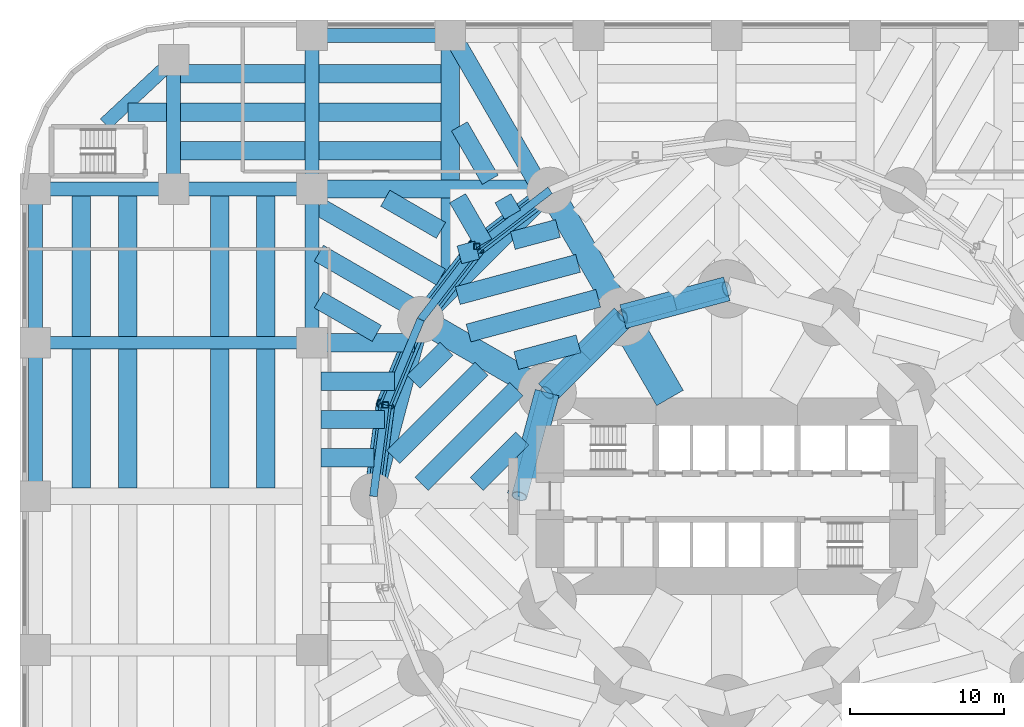
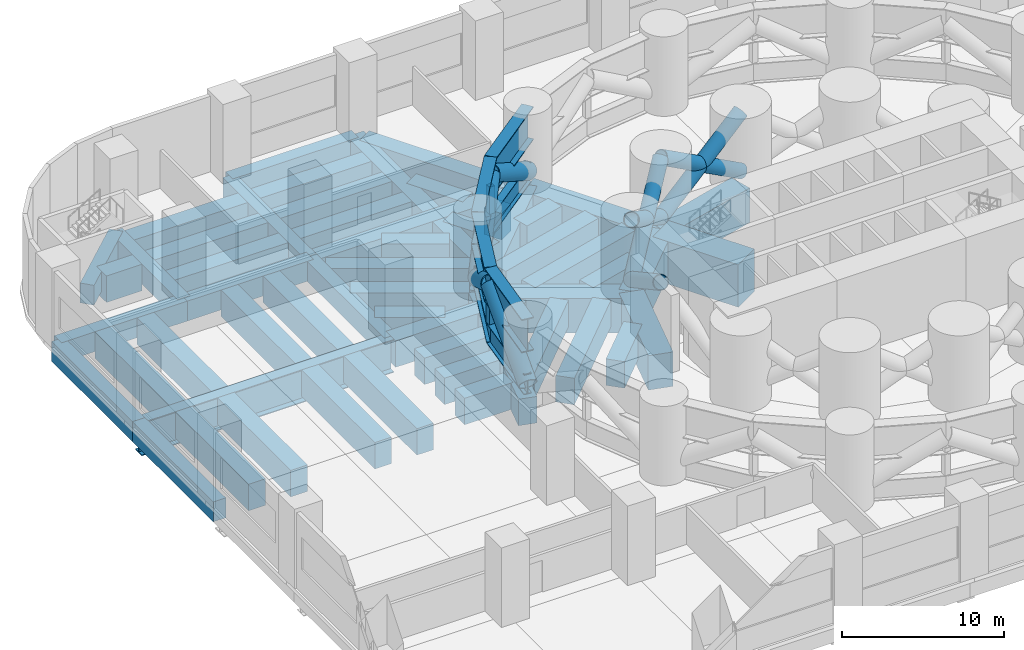
# One storey, part 4 of 14: 64 beams, 11 members.
"""IFC4 building model written with IfcOpenShell, lengths in metres."""

from ifc_helpers import new_model, si_unit, direction, frame, origin, origin_2d, place, context, subcontext, project, spatial, rectangle, hollow_rectangle, hollow_circle, i_section, extrude, material, material_profile, profile_set, type_object, element, save


model = new_model("IFC4")

# Units and contexts
model_context = context("Model", 3, precision=1e-05, world=origin(), true_north=direction((0.0, 1.0)))
body_context = subcontext(model_context, "Body", "Model", "MODEL_VIEW")
ifc_project = project(units=[si_unit("LENGTHUNIT", "METRE"), si_unit("AREAUNIT", "SQUARE_METRE"), si_unit("VOLUMEUNIT", "CUBIC_METRE"), si_unit("PLANEANGLEUNIT", "RADIAN"), si_unit("MASSUNIT", "GRAM", prefix="KILO")], contexts=[model_context])

# Site, building, storey
site_placement = place(None, origin())
site = spatial("IfcSite", under=ifc_project, at=site_placement, CompositionType="ELEMENT")
building_placement = place(site_placement, origin())
building = spatial("IfcBuilding", under=site, at=building_placement, Name="Qaws Media Tower", CompositionType="ELEMENT")
storey_placement = place(building_placement, frame((0.0, 0.0, 20.0)))
storey = spatial("IfcBuildingStorey", under=building, at=storey_placement, Name="L03", CompositionType="ELEMENT", Elevation=20.0)

# Members
ifc_material_1 = material(Name="Steel S355", Category="steel")
ifc_material_profile_1 = material_profile(ifc_material_1, hollow_circle(Radius=0.508056640625, WallThickness=0.050048828125, at=origin_2d()), Name="CHS 1016x50")
ifc_profile_set_1 = profile_set([ifc_material_profile_1], Name="Steel S355")
member_type_1 = type_object("IfcMemberType", Name="Belt truss diagonal CHS 1016x50", PredefinedType="BRACE", material=ifc_profile_set_1)
for number, where, z_axis, x_axis, name in (
    (1, (60.0, 63.5, 0.60009765625), (-0.812113202797, -0.217597461166, 0.541408801865), (0.258810593767, -0.965928090778, 0.0), "BT1 belt diagonal L03 I04 rising"),
    (2, (53.25, 61.69140625, 0.60009765625), (0.812113202797, 0.217597461166, 0.541408801865), (-0.258810593767, 0.965928090778, 0.0), "BT1 belt diagonal L03 I05 falling"),
    (3, (53.25, 61.69140625, 0.60009765625), (-0.594509373034, -0.594509373034, 0.541403002162), (0.707106781187, -0.707106781187, 0.0), "BT1 belt diagonal L03 I05 rising"),
    (4, (48.30859375, 56.75, 0.60009765625), (0.594509373034, 0.594509373034, 0.541403002162), (-0.707106781187, 0.707106781187, 0.0), "BT1 belt diagonal L03 I06 falling"),
    (5, (48.30859375, 56.75, 0.60009765625), (-0.217597461166, -0.812113202797, 0.541408801865), (0.965928090778, -0.258810593767, 0.0), "BT1 belt diagonal L03 I06 rising"),
):
    element("IfcMember", number, at=place(storey_placement, frame(where, z_axis=z_axis, x_axis=x_axis)), inside=storey, type_object=member_type_1, Name=name, PredefinedType="BRACE", context=body_context, shape_type="SweptSolid", body=[
        extrude(hollow_circle(Radius=0.508056640625, WallThickness=0.050048828125, at=origin_2d()), origin(), (0.0, 0.0, 1.0), 8.311767578125),
    ])

# Beams
ifc_material_2 = material(Name="Concrete C60/75", Category="concrete")
ifc_material_profile_2 = material_profile(ifc_material_2, rectangle(XDim=2.0, YDim=3.199951171875, at=origin_2d()), Name="RC 2000x3200")
ifc_profile_set_2 = profile_set([ifc_material_profile_2], Name="Concrete C60/75")
beam_type_1 = type_object("IfcBeamType", Name="Podium core beam RC 2000x3200", PredefinedType="BEAM", material=ifc_profile_set_2)
beam_1_placement = place(storey_placement, frame((56.304931640625, 56.39990234375, -1.89990234375), z_axis=(-0.49998532359, 0.866033877048, 0.0), x_axis=(-0.866033877048, -0.49998532359, 0.0)))
element("IfcBeam", 6, at=beam_1_placement, inside=storey, type_object=beam_type_1, Name="PB14 beam CORE-I05", PredefinedType="BEAM", context=body_context, shape_type="SweptSolid", body=[
    extrude(rectangle(XDim=2.0, YDim=3.199951171875, at=origin_2d()), origin(), (0.0, 0.0, 1.0), 6.110107421875),
])
ifc_material_3 = material(Name="Concrete C60/75", Category="concrete")
ifc_material_profile_3 = material_profile(ifc_material_3, rectangle(XDim=1.199951171875, YDim=2.0, at=origin_2d()), Name="RC 1200x2000")
ifc_profile_set_3 = profile_set([ifc_material_profile_3], Name="Concrete C60/75")
beam_type_2 = type_object("IfcBeamType", Name="Podium long trimmer beam RC 1200x2000", PredefinedType="BEAM", material=ifc_profile_set_3)
beam_2_placement = place(storey_placement, frame((33.0, 70.0, -1.300048828125), z_axis=(1.0, 0.0, 0.0), x_axis=(0.0, 1.0, 0.0)))
element("IfcBeam", 7, at=beam_2_placement, inside=storey, type_object=beam_type_2, Name="PB11 beam 3/F to the tower ring", PredefinedType="BEAM", context=body_context, shape_type="SweptSolid", body=[
    extrude(rectangle(XDim=1.199951171875, YDim=2.0, at=origin_2d()), origin(), (0.0, 0.0, 1.0), 15.803955078125),
])
beam_3_placement = place(storey_placement, frame((42.0, 80.0, -1.300048828125), z_axis=(0.0, -1.0, 0.0), x_axis=(1.0, 0.0, 0.0)))
element("IfcBeam", 8, at=beam_3_placement, inside=storey, type_object=beam_type_2, Name="PB11 beam 4/G to the tower ring", PredefinedType="BEAM", context=body_context, shape_type="SweptSolid", body=[
    extrude(rectangle(XDim=1.199951171875, YDim=2.0, at=origin_2d()), origin(), (0.0, 0.0, 1.0), 16.581298828125),
])
ifc_material_4 = material(Name="Concrete C60/75", Category="concrete")
ifc_material_profile_4 = material_profile(ifc_material_4, rectangle(XDim=1.199951171875, YDim=2.0, at=origin_2d()), Name="RC 1200x2000")
ifc_profile_set_4 = profile_set([ifc_material_profile_4], Name="Concrete C60/75")
beam_type_3 = type_object("IfcBeamType", Name="Podium plant floor edge beam RC 1200x2000", PredefinedType="BEAM", material=ifc_profile_set_4)
for number, where, z_axis, x_axis, name in (
    (9, (48.5, 69.918701171875, -1.300048828125), (-0.707106781187, -0.707106781187, 0.0), (0.707106781187, -0.707106781187, 0.0), "PB12 beam M05-M06"),
    (10, (40.081298828125, 61.5, -1.300048828125), (-0.258809885148, -0.965928280645, 0.0), (0.965928280645, -0.258809885148, 0.0), "PB12 beam M06-M07"),
):
    element("IfcBeam", number, at=place(storey_placement, frame(where, z_axis=z_axis, x_axis=x_axis)), inside=storey, type_object=beam_type_3, Name=name, PredefinedType="BEAM", context=body_context, shape_type="SweptSolid", body=[
        extrude(rectangle(XDim=1.199951171875, YDim=2.0, at=origin_2d()), origin(), (0.0, 0.0, 1.0), 11.90576171875),
    ])
ifc_material_5 = material(Name="Concrete C60/75", Category="concrete")
ifc_material_profile_5 = material_profile(ifc_material_5, rectangle(XDim=0.89990234375, YDim=1.5, at=origin_2d()), Name="RC 900x1500")
ifc_profile_set_5 = profile_set([ifc_material_profile_5], Name="Concrete C60/75")
beam_type_4 = type_object("IfcBeamType", Name="Podium plant floor girder RC 900x1500", PredefinedType="BEAM", material=ifc_profile_set_5)
for number, where, z_axis, x_axis, name in (
    (11, (15.0, 70.0, -1.050048828125), (1.0, 0.0, 0.0), (0.0, 1.0, 0.0), "PB6 beam 1-2/F"),
    (12, (24.0, 70.0, -1.050048828125), (1.0, 0.0, 0.0), (0.0, 1.0, 0.0), "PB6 beam 2-3/F"),
    (13, (33.0, 80.0, -1.050048828125), (1.0, 0.0, 0.0), (0.0, 1.0, 0.0), "PB6 beam 3-4/G"),
):
    element("IfcBeam", number, at=place(storey_placement, frame(where, z_axis=z_axis, x_axis=x_axis)), inside=storey, type_object=beam_type_4, Name=name, PredefinedType="BEAM", context=body_context, shape_type="SweptSolid", body=[
        extrude(rectangle(XDim=0.89990234375, YDim=1.5, at=origin_2d()), origin(), (0.0, 0.0, 1.0), 9.0),
    ])
for number, where, z_axis, x_axis, name in (
    (14, (15.0, 50.0, -1.050048828125), (0.0, 1.0, 0.0), (-1.0, 0.0, 0.0), "PB6 beam 1/D-E"),
    (15, (15.0, 60.0, -1.050048828125), (0.0, 1.0, 0.0), (-1.0, 0.0, 0.0), "PB6 beam 1/E-F"),
):
    element("IfcBeam", number, at=place(storey_placement, frame(where, z_axis=z_axis, x_axis=x_axis)), inside=storey, type_object=beam_type_4, Name=name, PredefinedType="BEAM", context=body_context, shape_type="SweptSolid", body=[
        extrude(rectangle(XDim=0.89990234375, YDim=1.5, at=origin_2d()), origin(), (0.0, 0.0, 1.0), 10.0),
    ])
beam_4_placement = place(storey_placement, frame((24.0, 70.0, -1.050048828125), z_axis=(0.0, 1.0, 0.0), x_axis=(-1.0, 0.0, 0.0)))
element("IfcBeam", 16, at=beam_4_placement, inside=storey, type_object=beam_type_4, Name="PB6 beam 2/F-G", PredefinedType="BEAM", context=body_context, shape_type="SweptSolid", body=[
    extrude(rectangle(XDim=0.89990234375, YDim=1.5, at=origin_2d()), origin(), (0.0, 0.0, 1.0), 8.39990234375),
])
for number, where, z_axis, x_axis, name in (
    (17, (33.0, 60.0, -1.050048828125), (0.0, 1.0, 0.0), (-1.0, 0.0, 0.0), "PB6 beam 3/E-F"),
    (18, (33.0, 70.0, -1.050048828125), (0.0, 1.0, 0.0), (-1.0, 0.0, 0.0), "PB6 beam 3/F-G"),
):
    element("IfcBeam", number, at=place(storey_placement, frame(where, z_axis=z_axis, x_axis=x_axis)), inside=storey, type_object=beam_type_4, Name=name, PredefinedType="BEAM", context=body_context, shape_type="SweptSolid", body=[
        extrude(rectangle(XDim=0.89990234375, YDim=1.5, at=origin_2d()), origin(), (0.0, 0.0, 1.0), 10.0),
    ])
beam_5_placement = place(storey_placement, frame((19.53662109375, 74.234130859375, -1.050048828125), z_axis=(0.731059257525, 0.682313976105, 0.0), x_axis=(-0.682313976105, 0.731059257525, 0.0)))
element("IfcBeam", 19, at=beam_5_placement, inside=storey, type_object=beam_type_4, Name="PB6 beam S3-2/G", PredefinedType="BEAM", context=body_context, shape_type="SweptSolid", body=[
    extrude(rectangle(XDim=0.89990234375, YDim=1.5, at=origin_2d()), origin(), (0.0, 0.0, 1.0), 6.10546875),
])
ifc_material_6 = material(Name="Concrete C60/75", Category="concrete")
ifc_material_profile_6 = material_profile(ifc_material_6, rectangle(XDim=1.199951171875, YDim=2.0, at=origin_2d()), Name="RC 1200x2000")
ifc_profile_set_6 = profile_set([ifc_material_profile_6], Name="Concrete C60/75")
beam_type_5 = type_object("IfcBeamType", Name="Podium secondary beam RC 1200x2000", PredefinedType="BEAM", material=ifc_profile_set_6)
for number, where, z_axis, x_axis, name in (
    (20, (21.0, 50.550048828125, -1.300048828125), (0.0, 1.0, 0.0), (-1.0, 0.0, 0.0), "PB7 beam bay 1D line 1"),
    (21, (18.0, 50.550048828125, -1.300048828125), (0.0, 1.0, 0.0), (-1.0, 0.0, 0.0), "PB7 beam bay 1D line 2"),
):
    element("IfcBeam", number, at=place(storey_placement, frame(where, z_axis=z_axis, x_axis=x_axis)), inside=storey, type_object=beam_type_5, Name=name, PredefinedType="BEAM", context=body_context, shape_type="SweptSolid", body=[
        extrude(rectangle(XDim=1.199951171875, YDim=2.0, at=origin_2d()), origin(), (0.0, 0.0, 1.0), 9.050048828125),
    ])
for number, where, z_axis, x_axis, name in (
    (22, (21.0, 60.39990234375, -1.300048828125), (0.0, 1.0, 0.0), (-1.0, 0.0, 0.0), "PB7 beam bay 1E line 1"),
    (23, (18.0, 60.39990234375, -1.300048828125), (0.0, 1.0, 0.0), (-1.0, 0.0, 0.0), "PB7 beam bay 1E line 2"),
):
    element("IfcBeam", number, at=place(storey_placement, frame(where, z_axis=z_axis, x_axis=x_axis)), inside=storey, type_object=beam_type_5, Name=name, PredefinedType="BEAM", context=body_context, shape_type="SweptSolid", body=[
        extrude(rectangle(XDim=1.199951171875, YDim=2.0, at=origin_2d()), origin(), (0.0, 0.0, 1.0), 9.150146484375),
    ])
beam_6_placement = place(storey_placement, frame((21.0166015625, 75.0, -1.300048828125), z_axis=(1.0, 0.0, 0.0), x_axis=(0.0, 1.0, 0.0)))
element("IfcBeam", 24, at=beam_6_placement, inside=storey, type_object=beam_type_5, Name="PB7 beam bay 1F line 1", PredefinedType="BEAM", context=body_context, shape_type="SweptSolid", body=[
    extrude(rectangle(XDim=1.199951171875, YDim=2.0, at=origin_2d()), origin(), (0.0, 0.0, 1.0), 2.533447265625),
])
for number, where, z_axis, x_axis, name in (
    (25, (30.0, 50.550048828125, -1.300048828125), (0.0, 1.0, 0.0), (-1.0, 0.0, 0.0), "PB7 beam bay 2D line 1"),
    (26, (27.0, 50.550048828125, -1.300048828125), (0.0, 1.0, 0.0), (-1.0, 0.0, 0.0), "PB7 beam bay 2D line 2"),
):
    element("IfcBeam", number, at=place(storey_placement, frame(where, z_axis=z_axis, x_axis=x_axis)), inside=storey, type_object=beam_type_5, Name=name, PredefinedType="BEAM", context=body_context, shape_type="SweptSolid", body=[
        extrude(rectangle(XDim=1.199951171875, YDim=2.0, at=origin_2d()), origin(), (0.0, 0.0, 1.0), 9.050048828125),
    ])
for number, where, z_axis, x_axis, name in (
    (27, (30.0, 60.39990234375, -1.300048828125), (0.0, 1.0, 0.0), (-1.0, 0.0, 0.0), "PB7 beam bay 2E line 1"),
    (28, (27.0, 60.39990234375, -1.300048828125), (0.0, 1.0, 0.0), (-1.0, 0.0, 0.0), "PB7 beam bay 2E line 2"),
):
    element("IfcBeam", number, at=place(storey_placement, frame(where, z_axis=z_axis, x_axis=x_axis)), inside=storey, type_object=beam_type_5, Name=name, PredefinedType="BEAM", context=body_context, shape_type="SweptSolid", body=[
        extrude(rectangle(XDim=1.199951171875, YDim=2.0, at=origin_2d()), origin(), (0.0, 0.0, 1.0), 9.150146484375),
    ])
for number, where, z_axis, x_axis, name in (
    (29, (24.449951171875, 72.5, -1.300048828125), (1.0, 0.0, 0.0), (0.0, 1.0, 0.0), "PB7 beam bay 2F line 1"),
    (30, (24.449951171875, 75.0, -1.300048828125), (1.0, 0.0, 0.0), (0.0, 1.0, 0.0), "PB7 beam bay 2F line 2"),
    (31, (24.449951171875, 77.5, -1.300048828125), (1.0, 0.0, 0.0), (0.0, 1.0, 0.0), "PB7 beam bay 2F line 3"),
):
    element("IfcBeam", number, at=place(storey_placement, frame(where, z_axis=z_axis, x_axis=x_axis)), inside=storey, type_object=beam_type_5, Name=name, PredefinedType="BEAM", context=body_context, shape_type="SweptSolid", body=[
        extrude(rectangle(XDim=1.199951171875, YDim=2.0, at=origin_2d()), origin(), (0.0, 0.0, 1.0), 8.10009765625),
    ])
beam_7_placement = place(storey_placement, frame((33.60009765625, 52.5, -1.300048828125), z_axis=(1.0, 0.0, 0.0), x_axis=(0.0, 1.0, 0.0)))
element("IfcBeam", 32, at=beam_7_placement, inside=storey, type_object=beam_type_5, Name="PB7 beam bay 3D line 1", PredefinedType="BEAM", context=body_context, shape_type="SweptSolid", body=[
    extrude(rectangle(XDim=1.199951171875, YDim=2.0, at=origin_2d()), origin(), (0.0, 0.0, 1.0), 3.44873046875),
])
beam_8_placement = place(storey_placement, frame((33.60009765625, 55.0, -1.300048828125), z_axis=(1.0, 0.0, 0.0), x_axis=(0.0, 1.0, 0.0)))
element("IfcBeam", 33, at=beam_8_placement, inside=storey, type_object=beam_type_5, Name="PB7 beam bay 3D line 2", PredefinedType="BEAM", context=body_context, shape_type="SweptSolid", body=[
    extrude(rectangle(XDim=1.199951171875, YDim=2.0, at=origin_2d()), origin(), (0.0, 0.0, 1.0), 4.118408203125),
])
beam_9_placement = place(storey_placement, frame((33.60009765625, 57.5, -1.300048828125), z_axis=(1.0, 0.0, 0.0), x_axis=(0.0, 1.0, 0.0)))
element("IfcBeam", 34, at=beam_9_placement, inside=storey, type_object=beam_type_5, Name="PB7 beam bay 3D line 3", PredefinedType="BEAM", context=body_context, shape_type="SweptSolid", body=[
    extrude(rectangle(XDim=1.199951171875, YDim=2.0, at=origin_2d()), origin(), (0.0, 0.0, 1.0), 4.788330078125),
])
beam_10_placement = place(storey_placement, frame((41.39990234375, 67.30712890625, -1.300048828125), z_axis=(-0.866023369196, 0.500003523994, 0.0), x_axis=(-0.500003523994, -0.866023369196, 0.0)))
element("IfcBeam", 35, at=beam_10_placement, inside=storey, type_object=beam_type_5, Name="PB7 beam bay 3E line 1", PredefinedType="BEAM", context=body_context, shape_type="SweptSolid", body=[
    extrude(rectangle(XDim=1.199951171875, YDim=2.0, at=origin_2d()), origin(), (0.0, 0.0, 1.0), 4.185546875),
])
beam_11_placement = place(storey_placement, frame((41.39990234375, 64.26806640625, -1.300048828125), z_axis=(-0.866028361304, 0.499994877392, 0.0), x_axis=(-0.499994877392, -0.866028361304, 0.0)))
element("IfcBeam", 36, at=beam_11_placement, inside=storey, type_object=beam_type_5, Name="PB7 beam bay 3E line 2", PredefinedType="BEAM", context=body_context, shape_type="SweptSolid", body=[
    extrude(rectangle(XDim=1.199951171875, YDim=2.0, at=origin_2d()), origin(), (0.0, 0.0, 1.0), 9.1796875),
])
beam_12_placement = place(storey_placement, frame((39.85400390625, 62.121337890625, -1.300048828125), z_axis=(-0.866032193116, 0.499988240348, 0.0), x_axis=(-0.499988240348, -0.866032193116, 0.0)))
element("IfcBeam", 37, at=beam_12_placement, inside=storey, type_object=beam_type_5, Name="PB7 beam bay 3E line 3", PredefinedType="BEAM", context=body_context, shape_type="SweptSolid", body=[
    extrude(rectangle(XDim=1.199951171875, YDim=2.0, at=origin_2d()), origin(), (0.0, 0.0, 1.0), 7.394775390625),
])
beam_13_placement = place(storey_placement, frame((37.224853515625, 60.60009765625, -1.300048828125), z_axis=(-0.866025157913, 0.500000425862, 0.0), x_axis=(-0.500000425862, -0.866025157913, 0.0)))
element("IfcBeam", 38, at=beam_13_placement, inside=storey, type_object=beam_type_5, Name="PB7 beam bay 3E line 4", PredefinedType="BEAM", context=body_context, shape_type="SweptSolid", body=[
    extrude(rectangle(XDim=1.199951171875, YDim=2.0, at=origin_2d()), origin(), (0.0, 0.0, 1.0), 4.35888671875),
])
for number, where, z_axis, x_axis, name in (
    (39, (33.449951171875, 72.5, -1.300048828125), (1.0, 0.0, 0.0), (0.0, 1.0, 0.0), "PB7 beam bay 3F line 1"),
    (40, (33.449951171875, 75.0, -1.300048828125), (1.0, 0.0, 0.0), (0.0, 1.0, 0.0), "PB7 beam bay 3F line 2"),
    (41, (33.449951171875, 77.5, -1.300048828125), (1.0, 0.0, 0.0), (0.0, 1.0, 0.0), "PB7 beam bay 3F line 3"),
):
    element("IfcBeam", number, at=place(storey_placement, frame(where, z_axis=z_axis, x_axis=x_axis)), inside=storey, type_object=beam_type_5, Name=name, PredefinedType="BEAM", context=body_context, shape_type="SweptSolid", body=[
        extrude(rectangle(XDim=1.199951171875, YDim=2.0, at=origin_2d()), origin(), (0.0, 0.0, 1.0), 7.949951171875),
    ])
beam_14_placement = place(storey_placement, frame((46.057861328125, 68.324951171875, -1.300048828125), z_axis=(-0.500136695225, 0.865946468374, 0.0), x_axis=(-0.865946468374, -0.500136695225, 0.0)))
element("IfcBeam", 42, at=beam_14_placement, inside=storey, type_object=beam_type_5, Name="PB7 beam bay 4E line 1", PredefinedType="BEAM", context=body_context, shape_type="SweptSolid", body=[
    extrude(rectangle(XDim=1.199951171875, YDim=2.0, at=origin_2d()), origin(), (0.0, 0.0, 1.0), 1.241455078125),
])
beam_15_placement = place(storey_placement, frame((44.1845703125, 66.45166015625, -1.300048828125), z_axis=(-0.499995597562, 0.866027945518, 0.0), x_axis=(-0.866027945518, -0.499995597562, 0.0)))
element("IfcBeam", 43, at=beam_15_placement, inside=storey, type_object=beam_type_5, Name="PB7 beam bay 4E line 2", PredefinedType="BEAM", context=body_context, shape_type="SweptSolid", body=[
    extrude(rectangle(XDim=1.199951171875, YDim=2.0, at=origin_2d()), origin(), (0.0, 0.0, 1.0), 3.404296875),
])
beam_16_placement = place(storey_placement, frame((47.56298828125, 70.60009765625, -1.300048828125), z_axis=(-0.499998520234, 0.866026258126, 0.0), x_axis=(-0.866026258126, -0.499998520234, 0.0)))
element("IfcBeam", 44, at=beam_16_placement, inside=storey, type_object=beam_type_5, Name="PB7 beam bay 4F line 3", PredefinedType="BEAM", context=body_context, shape_type="SweptSolid", body=[
    extrude(rectangle(XDim=1.199951171875, YDim=2.0, at=origin_2d()), origin(), (0.0, 0.0, 1.0), 10.33447265625),
])
beam_17_placement = place(storey_placement, frame((44.6083984375, 70.60009765625, -1.300048828125), z_axis=(-0.500022371132, 0.86601248742, 0.0), x_axis=(-0.86601248742, -0.500022371132, 0.0)))
element("IfcBeam", 45, at=beam_17_placement, inside=storey, type_object=beam_type_5, Name="PB7 beam bay 4F line 4", PredefinedType="BEAM", context=body_context, shape_type="SweptSolid", body=[
    extrude(rectangle(XDim=1.199951171875, YDim=2.0, at=origin_2d()), origin(), (0.0, 0.0, 1.0), 4.016357421875),
])
beam_18_placement = place(storey_placement, frame((46.2978515625, 58.834716796875, -1.300048828125), z_axis=(0.96592491418, 0.258822449118, 0.0), x_axis=(-0.258822449118, 0.96592491418, 0.0)))
element("IfcBeam", 46, at=beam_18_placement, inside=storey, type_object=beam_type_5, Name="PB7 beam bay T05 line 1", PredefinedType="BEAM", context=body_context, shape_type="SweptSolid", body=[
    extrude(rectangle(XDim=1.199951171875, YDim=2.0, at=origin_2d()), origin(), (0.0, 0.0, 1.0), 4.19189453125),
])
beam_19_placement = place(storey_placement, frame((43.1943359375, 60.62646484375, -1.300048828125), z_axis=(0.965926352771, 0.258817080236, 0.0), x_axis=(-0.258817080236, 0.965926352771, 0.0)))
element("IfcBeam", 47, at=beam_19_placement, inside=storey, type_object=beam_type_5, Name="PB7 beam bay T05 line 2", PredefinedType="BEAM", context=body_context, shape_type="SweptSolid", body=[
    extrude(rectangle(XDim=1.199951171875, YDim=2.0, at=origin_2d()), origin(), (0.0, 0.0, 1.0), 8.73876953125),
])
beam_20_placement = place(storey_placement, frame((42.49169921875, 63.061767578125, -1.300048828125), z_axis=(0.96592990729, 0.25880381412, 0.0), x_axis=(-0.25880381412, 0.96592990729, 0.0)))
element("IfcBeam", 48, at=beam_20_placement, inside=storey, type_object=beam_type_5, Name="PB7 beam bay T05 line 3", PredefinedType="BEAM", context=body_context, shape_type="SweptSolid", body=[
    extrude(rectangle(XDim=1.199951171875, YDim=2.0, at=origin_2d()), origin(), (0.0, 0.0, 1.0), 8.10791015625),
])
beam_21_placement = place(storey_placement, frame((42.60009765625, 65.714111328125, -1.300048828125), z_axis=(0.965916206355, 0.258854944518, 0.0), x_axis=(-0.258854944518, 0.965916206355, 0.0)))
element("IfcBeam", 49, at=beam_21_placement, inside=storey, type_object=beam_type_5, Name="PB7 beam bay T05 line 4", PredefinedType="BEAM", context=body_context, shape_type="SweptSolid", body=[
    extrude(rectangle(XDim=1.199951171875, YDim=2.0, at=origin_2d()), origin(), (0.0, 0.0, 1.0), 1.19775390625),
])
beam_22_placement = place(storey_placement, frame((46.075439453125, 66.6455078125, -1.300048828125), z_axis=(0.965938372983, 0.258772215661, 0.0), x_axis=(-0.258772215661, 0.965938372983, 0.0)))
element("IfcBeam", 50, at=beam_22_placement, inside=storey, type_object=beam_type_5, Name="PB7 beam bay T05 line 5", PredefinedType="BEAM", context=body_context, shape_type="SweptSolid", body=[
    extrude(rectangle(XDim=1.199951171875, YDim=2.0, at=origin_2d()), origin(), (0.0, 0.0, 1.0), 3.039794921875),
])
beam_23_placement = place(storey_placement, frame((43.71630859375, 50.800048828125, -1.300048828125), z_axis=(0.707106781187, 0.707106781187, 0.0), x_axis=(-0.707106781187, 0.707106781187, 0.0)))
element("IfcBeam", 51, at=beam_23_placement, inside=storey, type_object=beam_type_5, Name="PB7 beam bay T06 line 1", PredefinedType="BEAM", context=body_context, shape_type="SweptSolid", body=[
    extrude(rectangle(XDim=1.199951171875, YDim=2.0, at=origin_2d()), origin(), (0.0, 0.0, 1.0), 4.19189453125),
])
beam_24_placement = place(storey_placement, frame((40.132568359375, 50.800048828125, -1.300048828125), z_axis=(0.707106781187, 0.707106781187, 0.0), x_axis=(-0.707106781187, 0.707106781187, 0.0)))
element("IfcBeam", 52, at=beam_24_placement, inside=storey, type_object=beam_type_5, Name="PB7 beam bay T06 line 2", PredefinedType="BEAM", context=body_context, shape_type="SweptSolid", body=[
    extrude(rectangle(XDim=1.199951171875, YDim=2.0, at=origin_2d()), origin(), (0.0, 0.0, 1.0), 8.73876953125),
])
beam_25_placement = place(storey_placement, frame((38.306396484375, 52.5576171875, -1.300048828125), z_axis=(0.707106781187, 0.707106781187, 0.0), x_axis=(-0.707106781187, 0.707106781187, 0.0)))
element("IfcBeam", 53, at=beam_25_placement, inside=storey, type_object=beam_type_5, Name="PB7 beam bay T06 line 3", PredefinedType="BEAM", context=body_context, shape_type="SweptSolid", body=[
    extrude(rectangle(XDim=1.199951171875, YDim=2.0, at=origin_2d()), origin(), (0.0, 0.0, 1.0), 8.108154296875),
])
beam_26_placement = place(storey_placement, frame((39.6181640625, 57.453125, -1.300048828125), z_axis=(0.707146936034, 0.707066624059, 0.0), x_axis=(-0.707066624059, 0.707146936034, 0.0)))
element("IfcBeam", 54, at=beam_26_placement, inside=storey, type_object=beam_type_5, Name="PB7 beam bay T06 line 4", PredefinedType="BEAM", context=body_context, shape_type="SweptSolid", body=[
    extrude(rectangle(XDim=1.199951171875, YDim=2.0, at=origin_2d()), origin(), (0.0, 0.0, 1.0), 3.039794921875),
])
ifc_material_7 = material(Name="Concrete C60/75", Category="concrete")
ifc_material_profile_7 = material_profile(ifc_material_7, rectangle(XDim=1.60009765625, YDim=2.60009765625, at=origin_2d()), Name="RC 1600x2600")
ifc_profile_set_7 = profile_set([ifc_material_profile_7], Name="Concrete C60/75")
beam_type_6 = type_object("IfcBeamType", Name="Podium tower beam RC 1600x2600", PredefinedType="BEAM", material=ifc_profile_set_7)
beam_27_placement = place(storey_placement, frame((60.0, 63.5, -1.60009765625), z_axis=(-0.965928090778, -0.258810593767, 0.0), x_axis=(0.258810593767, -0.965928090778, 0.0)))
element("IfcBeam", 55, at=beam_27_placement, inside=storey, type_object=beam_type_6, Name="PB9 beam I04-I05", PredefinedType="BEAM", context=body_context, shape_type="SweptSolid", body=[
    extrude(rectangle(XDim=1.60009765625, YDim=2.60009765625, at=origin_2d()), origin(), (0.0, 0.0, 1.0), 6.988037109375),
])
beam_28_placement = place(storey_placement, frame((53.25, 61.69140625, -1.60009765625), z_axis=(-0.499997557548, 0.86602681393, 0.0), x_axis=(-0.86602681393, -0.499997557548, 0.0)))
element("IfcBeam", 56, at=beam_28_placement, inside=storey, type_object=beam_type_6, Name="PB9 beam I05-M05", PredefinedType="BEAM", context=body_context, shape_type="SweptSolid", body=[
    extrude(rectangle(XDim=1.60009765625, YDim=2.60009765625, at=origin_2d()), origin(), (0.0, 0.0, 1.0), 9.5),
])
beam_29_placement = place(storey_placement, frame((53.25, 61.69140625, -1.60009765625), z_axis=(-0.707106781187, -0.707106781187, 0.0), x_axis=(0.707106781187, -0.707106781187, 0.0)))
element("IfcBeam", 57, at=beam_29_placement, inside=storey, type_object=beam_type_6, Name="PB9 beam I05-I06", PredefinedType="BEAM", context=body_context, shape_type="SweptSolid", body=[
    extrude(rectangle(XDim=1.60009765625, YDim=2.60009765625, at=origin_2d()), origin(), (0.0, 0.0, 1.0), 6.98828125),
])
beam_30_placement = place(storey_placement, frame((48.30859375, 56.75, -1.60009765625), z_axis=(-0.86602681393, 0.499997557548, 0.0), x_axis=(-0.499997557548, -0.86602681393, 0.0)))
element("IfcBeam", 58, at=beam_30_placement, inside=storey, type_object=beam_type_6, Name="PB9 beam I06-M06", PredefinedType="BEAM", context=body_context, shape_type="SweptSolid", body=[
    extrude(rectangle(XDim=1.60009765625, YDim=2.60009765625, at=origin_2d()), origin(), (0.0, 0.0, 1.0), 9.5),
])
beam_31_placement = place(storey_placement, frame((48.30859375, 56.75, -1.60009765625), z_axis=(-0.258810593767, -0.965928090778, 0.0), x_axis=(0.965928090778, -0.258810593767, 0.0)))
element("IfcBeam", 59, at=beam_31_placement, inside=storey, type_object=beam_type_6, Name="PB9 beam I06-I07", PredefinedType="BEAM", context=body_context, shape_type="SweptSolid", body=[
    extrude(rectangle(XDim=1.60009765625, YDim=2.60009765625, at=origin_2d()), origin(), (0.0, 0.0, 1.0), 6.988037109375),
])
ifc_material_8 = material(Name="Concrete C60/75", Category="concrete")
ifc_material_profile_8 = material_profile(ifc_material_8, rectangle(XDim=1.199951171875, YDim=2.0, at=origin_2d()), Name="RC 1200x2000")
ifc_profile_set_8 = profile_set([ifc_material_profile_8], Name="Concrete C60/75")
beam_type_7 = type_object("IfcBeamType", Name="Podium trimmer beam RC 1200x2000", PredefinedType="BEAM", material=ifc_profile_set_8)
beam_32_placement = place(storey_placement, frame((33.0, 60.0, -1.300048828125), z_axis=(1.0, 0.0, 0.0), x_axis=(0.0, 1.0, 0.0)))
element("IfcBeam", 60, at=beam_32_placement, inside=storey, type_object=beam_type_7, Name="PB4 beam 3/E to the tower ring", PredefinedType="BEAM", context=body_context, shape_type="SweptSolid", body=[
    extrude(rectangle(XDim=1.199951171875, YDim=2.0, at=origin_2d()), origin(), (0.0, 0.0, 1.0), 6.679443359375),
])
ifc_material_9 = material(Name="Steel S355", Category="steel")
ifc_material_profile_9 = material_profile(ifc_material_9, i_section(OverallWidth=0.800048828125, OverallDepth=2.5, WebThickness=0.030029296875, FlangeThickness=0.06494140625, at=origin_2d()), Name="PG 2500x800")
ifc_profile_set_9 = profile_set([ifc_material_profile_9], Name="Steel S355")
beam_type_8 = type_object("IfcBeamType", Name="Studio girder PG 2500x800", PredefinedType="BEAM", material=ifc_profile_set_9)
beam_33_placement = place(storey_placement, frame((15.0, 60.0, -1.550048828125), z_axis=(1.0, 0.0, 0.0), x_axis=(0.0, 1.0, 0.0)))
element("IfcBeam", 61, at=beam_33_placement, inside=storey, type_object=beam_type_8, Name="SG1 studio A girder on grid E", PredefinedType="BEAM", context=body_context, shape_type="SweptSolid", body=[
    extrude(i_section(OverallWidth=0.800048828125, OverallDepth=2.5, WebThickness=0.030029296875, FlangeThickness=0.06494140625, at=origin_2d()), origin(), (0.0, 0.0, 1.0), 18.0),
])
ifc_material_10 = material(Name="Steel S355", Category="steel")
ifc_material_profile_10 = material_profile(ifc_material_10, i_section(OverallWidth=0.5, OverallDepth=1.5, WebThickness=0.02001953125, FlangeThickness=0.0400390625, at=origin_2d()), Name="PG 1500x500")
ifc_profile_set_10 = profile_set([ifc_material_profile_10], Name="Steel S355")
beam_type_9 = type_object("IfcBeamType", Name="Transfer bottom chord PG 1500x500", PredefinedType="BEAM", material=ifc_profile_set_10)
for number, where, z_axis, x_axis, name in (
    (62, (48.5, 69.918701171875, 0.75), (-0.793339924758, -0.608778912074, 0.0), (0.608778912074, -0.793339924758, 0.0), "TG2 transfer bottom chord N09-N10"),
    (63, (43.736572265625, 66.263427734375, 0.75), (-0.608778912074, -0.793339924758, 0.0), (0.793339924758, -0.608778912074, 0.0), "TG2 transfer bottom chord N10-N11"),
    (64, (40.081298828125, 61.5, 0.75), (-0.382671411433, -0.923884511653, 0.0), (0.923884511653, -0.382671411433, 0.0), "TG2 transfer bottom chord N11-N12"),
    (65, (37.78369140625, 55.952880859375, 0.75), (-0.130522880875, -0.991445297315, 0.0), (0.991445297315, -0.130522880875, 0.0), "TG2 transfer bottom chord N12-N13"),
):
    element("IfcBeam", number, at=place(storey_placement, frame(where, z_axis=z_axis, x_axis=x_axis)), inside=storey, type_object=beam_type_9, Name=name, PredefinedType="BEAM", context=body_context, shape_type="SweptSolid", body=[
        extrude(i_section(OverallWidth=0.5, OverallDepth=1.5, WebThickness=0.02001953125, FlangeThickness=0.0400390625, at=origin_2d()), origin(), (0.0, 0.0, 1.0), 6.004150390625),
    ])
ifc_material_11 = material(Name="Steel S460", Category="steel")
ifc_material_profile_11 = material_profile(ifc_material_11, i_section(OverallWidth=0.800048828125, OverallDepth=2.5, WebThickness=0.030029296875, FlangeThickness=0.06494140625, at=origin_2d()), Name="PG 2500x800")
ifc_profile_set_11 = profile_set([ifc_material_profile_11], Name="Steel S460")
beam_type_10 = type_object("IfcBeamType", Name="Transfer ring girder PG 2500x800", PredefinedType="BEAM", material=ifc_profile_set_11)
for number, where, z_axis, x_axis, name in (
    (66, (48.5, 69.918701171875, 4.449951171875), (-0.793339924758, -0.608778912074, 0.0), (0.608778912074, -0.793339924758, 0.0), "TG1 transfer ring girder N09-N10"),
    (67, (43.736572265625, 66.263427734375, 4.449951171875), (-0.608778912074, -0.793339924758, 0.0), (0.793339924758, -0.608778912074, 0.0), "TG1 transfer ring girder N10-N11"),
    (68, (40.081298828125, 61.5, 4.449951171875), (-0.382671411433, -0.923884511653, 0.0), (0.923884511653, -0.382671411433, 0.0), "TG1 transfer ring girder N11-N12"),
    (69, (37.78369140625, 55.952880859375, 4.449951171875), (-0.130522880875, -0.991445297315, 0.0), (0.991445297315, -0.130522880875, 0.0), "TG1 transfer ring girder N12-N13"),
):
    element("IfcBeam", number, at=place(storey_placement, frame(where, z_axis=z_axis, x_axis=x_axis)), inside=storey, type_object=beam_type_10, Name=name, PredefinedType="BEAM", context=body_context, shape_type="SweptSolid", body=[
        extrude(i_section(OverallWidth=0.800048828125, OverallDepth=2.5, WebThickness=0.030029296875, FlangeThickness=0.06494140625, at=origin_2d()), origin(), (0.0, 0.0, 1.0), 6.004150390625),
    ])

# Members
ifc_material_12 = material(Name="Steel S460", Category="steel")
ifc_material_profile_12 = material_profile(ifc_material_12, hollow_circle(Radius=0.609619140625, WallThickness=0.06005859375, at=origin_2d()), Name="CHS 1219x60")
ifc_profile_set_12 = profile_set([ifc_material_profile_12], Name="Steel S460")
member_type_2 = type_object("IfcMemberType", Name="Transfer truss diagonal CHS 1219x60", PredefinedType="BRACE", material=ifc_profile_set_12)
for number, where, z_axis, x_axis, name in (
    (70, (48.5, 69.918701171875, 0.75), (-0.675402608617, -0.518278297177, 0.5246131174), (0.608778912074, -0.793339924758, 0.0), "TT1 transfer diagonal M05a"),
    (71, (40.081298828125, 61.5, 0.75), (0.518278297177, 0.675402608617, 0.5246131174), (-0.793339924758, 0.608778912074, 0.0), "TT1 transfer diagonal M05b"),
):
    element("IfcMember", number, at=place(storey_placement, frame(where, z_axis=z_axis, x_axis=x_axis)), inside=storey, type_object=member_type_2, Name=name, PredefinedType="BRACE", context=body_context, shape_type="SweptSolid", body=[
        extrude(hollow_circle(Radius=0.609619140625, WallThickness=0.06005859375, at=origin_2d()), origin(), (0.0, 0.0, 1.0), 7.052734375),
    ])
member_1_placement = place(storey_placement, frame((40.081298828125, 61.5, 0.75), z_axis=(-0.32578160724, -0.786535320167, 0.524622277943), x_axis=(0.923884511653, -0.382671411433, 0.0)))
element("IfcMember", 72, at=member_1_placement, inside=storey, type_object=member_type_2, Name="TT1 transfer diagonal M06a", PredefinedType="BRACE", context=body_context, shape_type="SweptSolid", body=[
    extrude(hollow_circle(Radius=0.609619140625, WallThickness=0.06005859375, at=origin_2d()), origin(), (0.0, 0.0, 1.0), 7.052490234375),
])
member_2_placement = place(storey_placement, frame((37.0, 50.0, 0.75), z_axis=(0.111119318297, 0.844056803129, 0.524614725482), x_axis=(-0.991445297315, 0.130522880875, 0.0)))
element("IfcMember", 73, at=member_2_placement, inside=storey, type_object=member_type_2, Name="TT1 transfer diagonal M06b", PredefinedType="BRACE", context=body_context, shape_type="SweptSolid", body=[
    extrude(hollow_circle(Radius=0.609619140625, WallThickness=0.06005859375, at=origin_2d()), origin(), (0.0, 0.0, 1.0), 7.052734375),
])
ifc_material_13 = material(Name="Steel S355", Category="steel")
ifc_material_profile_13 = material_profile(ifc_material_13, hollow_rectangle(XDim=0.39990234375, YDim=0.39990234375, WallThickness=0.02001953125, at=origin_2d()), Name="SHS 400x400x20")
ifc_profile_set_13 = profile_set([ifc_material_profile_13], Name="Steel S355")
member_type_3 = type_object("IfcMemberType", Name="Transfer truss post SHS 400x400x20", PredefinedType="STRUT", material=ifc_profile_set_13)
for number, where, z_axis, x_axis, name in (
    (74, (43.736572265625, 66.263427734375, 1.5), (0.0, 0.0, 1.0), (1.0, 0.0, 0.0), "TT2 transfer post N10"),
    (75, (37.78369140625, 55.952880859375, 1.5), (0.0, 0.0, 1.0), (1.0, 0.0, 0.0), "TT2 transfer post N12"),
):
    element("IfcMember", number, at=place(storey_placement, frame(where, z_axis=z_axis, x_axis=x_axis)), inside=storey, type_object=member_type_3, Name=name, PredefinedType="STRUT", context=body_context, shape_type="SweptSolid", body=[
        extrude(hollow_rectangle(XDim=0.39990234375, YDim=0.39990234375, WallThickness=0.02001953125, at=origin_2d()), origin(), (0.0, 0.0, 1.0), 2.050048828125),
    ])

save(model, "model.ifc")
